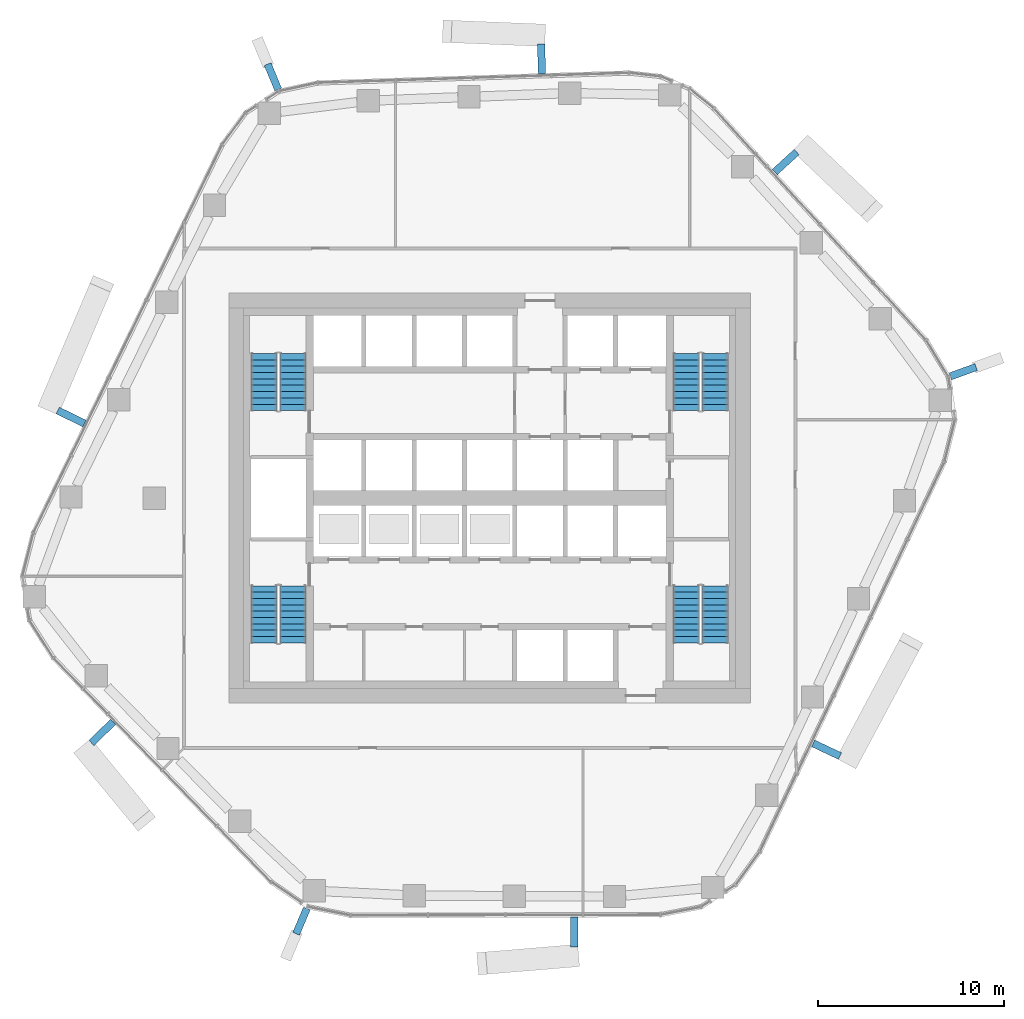
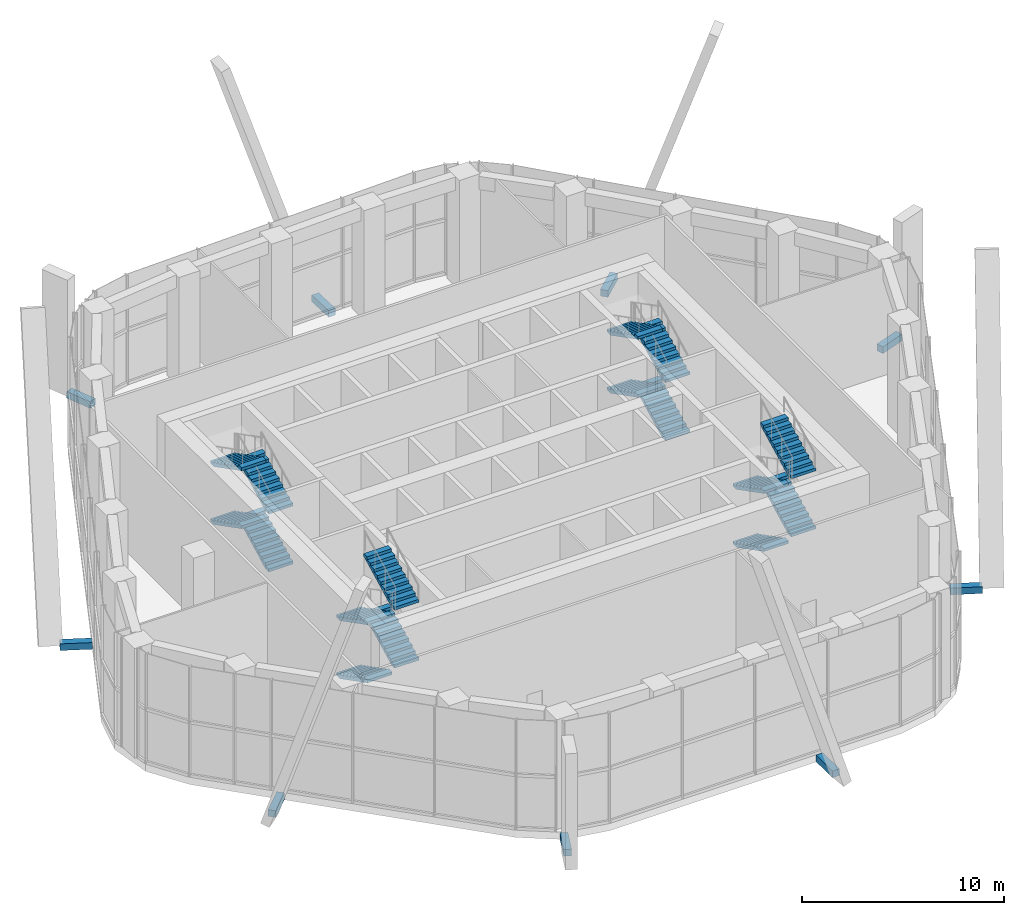
# One storey, part 14 of 20: 16 stair flights, 9 discrete accessories, 4 elements without a shape of their own.
"""IFC4 building model written with IfcOpenShell, lengths in metres."""

from ifc_helpers import new_model, si_unit, direction, frame, origin, origin_2d, place, context, subcontext, project, spatial, polyline, rectangle, outline, extrude, material, layer, layer_set, type_object, element, aggregate, save


model = new_model("IFC4")

# Units and contexts
model_context = context("Model", 3, precision=1e-05, world=origin(), true_north=direction((0.0, 1.0)))
body_context = subcontext(model_context, "Body", "Model", "MODEL_VIEW")
ifc_project = project(units=[si_unit("LENGTHUNIT", "METRE"), si_unit("AREAUNIT", "SQUARE_METRE"), si_unit("VOLUMEUNIT", "CUBIC_METRE"), si_unit("PLANEANGLEUNIT", "RADIAN"), si_unit("MASSUNIT", "GRAM", prefix="KILO")], contexts=[model_context])

# Site, building, storey
site_placement = place(None, origin())
site = spatial("IfcSite", under=ifc_project, at=site_placement, CompositionType="ELEMENT")
building_placement = place(site_placement, origin())
building = spatial("IfcBuilding", under=site, at=building_placement, Name="Dongbaek Canopy Tower", CompositionType="ELEMENT")
storey_placement = place(building_placement, frame((0.0, 0.0, 151.60009765625)))
storey = spatial("IfcBuildingStorey", under=building, at=storey_placement, Name="L33", CompositionType="ELEMENT", Elevation=151.60009765625)

# Stair, stair flights
ifc_material_1 = material(Name="Concrete C40/50", Category="concrete")
stair_type = type_object("IfcStairType", Name="Core exit stair", PredefinedType="HALF_TURN_STAIR", material=ifc_material_1)
stair_1_placement = place(storey_placement, origin())
stair_1 = element("IfcStair", 1, at=stair_1_placement, inside=storey, type_object=stair_type, Name="L33 exit stair A", PredefinedType="HALF_TURN_STAIR")
ifc_material_2 = material(Name="Concrete C40/50", Category="concrete")
ifc_layer = layer(ifc_material_2, 0.14990234375)
ifc_layer_set = layer_set([ifc_layer], Name="Core stair flight 150 waist")
stair_flight_type = type_object("IfcStairFlightType", Name="Core stair flight 150 waist", PredefinedType="STRAIGHT", material=ifc_layer_set)
stair_flight_1_placement = place(storey_placement, frame((12.10009765625, 4.699951171875, 0.0), z_axis=(0.0, 0.0, 1.0), x_axis=(0.0, 1.0, 0.0)))
stair_flight_1 = element("IfcStairFlight", 2, at=stair_flight_1_placement, type_object=stair_flight_type, Name="ST-A flight 1", NumberOfRisers=10, NumberOfTreads=9, PredefinedType="STRAIGHT", RiserHeight=0.175, TreadLength=0.34, context=body_context, shape_type="SweptSolid", body=[
    extrude(outline(polyline([(0.0, 0.0), (0.0, 0.175048828125), (0.340087890625, 0.175048828125), (0.340087890625, 0.35009765625), (0.679931640625, 0.35009765625), (0.679931640625, 0.52490234375), (1.02001953125, 0.52490234375), (1.02001953125, 0.699951171875), (1.360107421875, 0.699951171875), (1.360107421875, 0.875), (1.699951171875, 0.875), (1.699951171875, 1.050048828125), (2.0400390625, 1.050048828125), (2.0400390625, 1.22509765625), (2.3798828125, 1.22509765625), (2.3798828125, 1.39990234375), (2.719970703125, 1.39990234375), (2.719970703125, 1.574951171875), (3.06005859375, 1.574951171875), (3.06005859375, 1.75), (3.06005859375, 1.406494140625), (0.32763671875, 0.0), (0.0, 0.0)])), frame((0.0, 0.699951171875, 0.0), z_axis=(0.0, -1.0, 0.0), x_axis=(1.0, 0.0, 0.0)), (0.0, 0.0, 1.0), 1.39990234375),
])
stair_flight_2_placement = place(storey_placement, frame((10.550048828125, 7.760009765625, 1.75), z_axis=(0.0, 0.0, 1.0), x_axis=(0.0, -1.0, 0.0)))
stair_flight_2 = element("IfcStairFlight", 3, at=stair_flight_2_placement, type_object=stair_flight_type, Name="ST-A flight 2", NumberOfRisers=10, NumberOfTreads=9, PredefinedType="STRAIGHT", RiserHeight=0.175, TreadLength=0.34, context=body_context, shape_type="SweptSolid", body=[
    extrude(outline(polyline([(0.0, 0.0), (0.0, 0.175048828125), (0.340087890625, 0.175048828125), (0.340087890625, 0.35009765625), (0.679931640625, 0.35009765625), (0.679931640625, 0.52490234375), (1.02001953125, 0.52490234375), (1.02001953125, 0.699951171875), (1.360107421875, 0.699951171875), (1.360107421875, 0.875), (1.699951171875, 0.875), (1.699951171875, 1.050048828125), (2.0400390625, 1.050048828125), (2.0400390625, 1.22509765625), (2.3798828125, 1.22509765625), (2.3798828125, 1.39990234375), (2.719970703125, 1.39990234375), (2.719970703125, 1.574951171875), (3.06005859375, 1.574951171875), (3.06005859375, 1.75), (3.06005859375, 1.406494140625), (0.32763671875, 0.0), (0.0, 0.0)])), frame((0.0, 0.699951171875, 0.0), z_axis=(0.0, -1.0, 0.0), x_axis=(1.0, 0.0, 0.0)), (0.0, 0.0, 1.0), 1.39990234375),
])
stair_flight_3_placement = place(storey_placement, frame((12.10009765625, 4.699951171875, 3.5), z_axis=(0.0, 0.0, 1.0), x_axis=(0.0, 1.0, 0.0)))
stair_flight_3 = element("IfcStairFlight", 4, at=stair_flight_3_placement, type_object=stair_flight_type, Name="ST-A flight 3", NumberOfRisers=10, NumberOfTreads=9, PredefinedType="STRAIGHT", RiserHeight=0.175, TreadLength=0.34, context=body_context, shape_type="SweptSolid", body=[
    extrude(outline(polyline([(0.0, 0.0), (0.0, 0.175048828125), (0.340087890625, 0.175048828125), (0.340087890625, 0.35009765625), (0.679931640625, 0.35009765625), (0.679931640625, 0.52490234375), (1.02001953125, 0.52490234375), (1.02001953125, 0.699951171875), (1.360107421875, 0.699951171875), (1.360107421875, 0.875), (1.699951171875, 0.875), (1.699951171875, 1.050048828125), (2.0400390625, 1.050048828125), (2.0400390625, 1.22509765625), (2.3798828125, 1.22509765625), (2.3798828125, 1.39990234375), (2.719970703125, 1.39990234375), (2.719970703125, 1.574951171875), (3.06005859375, 1.574951171875), (3.06005859375, 1.75), (3.06005859375, 1.406494140625), (0.32763671875, 0.0), (0.0, 0.0)])), frame((0.0, 0.699951171875, 0.0), z_axis=(0.0, -1.0, 0.0), x_axis=(1.0, 0.0, 0.0)), (0.0, 0.0, 1.0), 1.39990234375),
])
stair_flight_4_placement = place(storey_placement, frame((10.550048828125, 7.760009765625, 5.25), z_axis=(0.0, 0.0, 1.0), x_axis=(0.0, -1.0, 0.0)))
stair_flight_4 = element("IfcStairFlight", 5, at=stair_flight_4_placement, type_object=stair_flight_type, Name="ST-A flight 4", NumberOfRisers=10, NumberOfTreads=9, PredefinedType="STRAIGHT", RiserHeight=0.175, TreadLength=0.34, context=body_context, shape_type="SweptSolid", body=[
    extrude(outline(polyline([(0.0, 0.0), (0.0, 0.175048828125), (0.340087890625, 0.175048828125), (0.340087890625, 0.35009765625), (0.679931640625, 0.35009765625), (0.679931640625, 0.52490234375), (1.02001953125, 0.52490234375), (1.02001953125, 0.699951171875), (1.360107421875, 0.699951171875), (1.360107421875, 0.875), (1.699951171875, 0.875), (1.699951171875, 1.050048828125), (2.0400390625, 1.050048828125), (2.0400390625, 1.22509765625), (2.3798828125, 1.22509765625), (2.3798828125, 1.39990234375), (2.719970703125, 1.39990234375), (2.719970703125, 1.574951171875), (3.06005859375, 1.574951171875), (3.06005859375, 1.75), (3.06005859375, 1.406494140625), (0.32763671875, 0.0), (0.0, 0.0)])), frame((0.0, 0.699951171875, 0.0), z_axis=(0.0, -1.0, 0.0), x_axis=(1.0, 0.0, 0.0)), (0.0, 0.0, 1.0), 1.39990234375),
])
aggregate(stair_1, [stair_flight_1, stair_flight_2, stair_flight_3, stair_flight_4])

stair_2_placement = place(storey_placement, origin())
stair_2 = element("IfcStair", 6, at=stair_2_placement, inside=storey, type_object=stair_type, Name="L33 exit stair C", PredefinedType="HALF_TURN_STAIR")
stair_flight_5_placement = place(storey_placement, frame((-10.550048828125, 4.699951171875, 0.0), z_axis=(0.0, 0.0, 1.0), x_axis=(0.0, 1.0, 0.0)))
stair_flight_5 = element("IfcStairFlight", 7, at=stair_flight_5_placement, type_object=stair_flight_type, Name="ST-C flight 1", NumberOfRisers=10, NumberOfTreads=9, PredefinedType="STRAIGHT", RiserHeight=0.175, TreadLength=0.34, context=body_context, shape_type="SweptSolid", body=[
    extrude(outline(polyline([(0.0, 0.0), (0.0, 0.175048828125), (0.340087890625, 0.175048828125), (0.340087890625, 0.35009765625), (0.679931640625, 0.35009765625), (0.679931640625, 0.52490234375), (1.02001953125, 0.52490234375), (1.02001953125, 0.699951171875), (1.360107421875, 0.699951171875), (1.360107421875, 0.875), (1.699951171875, 0.875), (1.699951171875, 1.050048828125), (2.0400390625, 1.050048828125), (2.0400390625, 1.22509765625), (2.3798828125, 1.22509765625), (2.3798828125, 1.39990234375), (2.719970703125, 1.39990234375), (2.719970703125, 1.574951171875), (3.06005859375, 1.574951171875), (3.06005859375, 1.75), (3.06005859375, 1.406494140625), (0.32763671875, 0.0), (0.0, 0.0)])), frame((0.0, 0.699951171875, 0.0), z_axis=(0.0, -1.0, 0.0), x_axis=(1.0, 0.0, 0.0)), (0.0, 0.0, 1.0), 1.39990234375),
])
stair_flight_6_placement = place(storey_placement, frame((-12.10009765625, 7.760009765625, 1.75), z_axis=(0.0, 0.0, 1.0), x_axis=(0.0, -1.0, 0.0)))
stair_flight_6 = element("IfcStairFlight", 8, at=stair_flight_6_placement, type_object=stair_flight_type, Name="ST-C flight 2", NumberOfRisers=10, NumberOfTreads=9, PredefinedType="STRAIGHT", RiserHeight=0.175, TreadLength=0.34, context=body_context, shape_type="SweptSolid", body=[
    extrude(outline(polyline([(0.0, 0.0), (0.0, 0.175048828125), (0.340087890625, 0.175048828125), (0.340087890625, 0.35009765625), (0.679931640625, 0.35009765625), (0.679931640625, 0.52490234375), (1.02001953125, 0.52490234375), (1.02001953125, 0.699951171875), (1.360107421875, 0.699951171875), (1.360107421875, 0.875), (1.699951171875, 0.875), (1.699951171875, 1.050048828125), (2.0400390625, 1.050048828125), (2.0400390625, 1.22509765625), (2.3798828125, 1.22509765625), (2.3798828125, 1.39990234375), (2.719970703125, 1.39990234375), (2.719970703125, 1.574951171875), (3.06005859375, 1.574951171875), (3.06005859375, 1.75), (3.06005859375, 1.406494140625), (0.32763671875, 0.0), (0.0, 0.0)])), frame((0.0, 0.699951171875, 0.0), z_axis=(0.0, -1.0, 0.0), x_axis=(1.0, 0.0, 0.0)), (0.0, 0.0, 1.0), 1.39990234375),
])
stair_flight_7_placement = place(storey_placement, frame((-10.550048828125, 4.699951171875, 3.5), z_axis=(0.0, 0.0, 1.0), x_axis=(0.0, 1.0, 0.0)))
stair_flight_7 = element("IfcStairFlight", 9, at=stair_flight_7_placement, type_object=stair_flight_type, Name="ST-C flight 3", NumberOfRisers=10, NumberOfTreads=9, PredefinedType="STRAIGHT", RiserHeight=0.175, TreadLength=0.34, context=body_context, shape_type="SweptSolid", body=[
    extrude(outline(polyline([(0.0, 0.0), (0.0, 0.175048828125), (0.340087890625, 0.175048828125), (0.340087890625, 0.35009765625), (0.679931640625, 0.35009765625), (0.679931640625, 0.52490234375), (1.02001953125, 0.52490234375), (1.02001953125, 0.699951171875), (1.360107421875, 0.699951171875), (1.360107421875, 0.875), (1.699951171875, 0.875), (1.699951171875, 1.050048828125), (2.0400390625, 1.050048828125), (2.0400390625, 1.22509765625), (2.3798828125, 1.22509765625), (2.3798828125, 1.39990234375), (2.719970703125, 1.39990234375), (2.719970703125, 1.574951171875), (3.06005859375, 1.574951171875), (3.06005859375, 1.75), (3.06005859375, 1.406494140625), (0.32763671875, 0.0), (0.0, 0.0)])), frame((0.0, 0.699951171875, 0.0), z_axis=(0.0, -1.0, 0.0), x_axis=(1.0, 0.0, 0.0)), (0.0, 0.0, 1.0), 1.39990234375),
])
stair_flight_8_placement = place(storey_placement, frame((-12.10009765625, 7.760009765625, 5.25), z_axis=(0.0, 0.0, 1.0), x_axis=(0.0, -1.0, 0.0)))
stair_flight_8 = element("IfcStairFlight", 10, at=stair_flight_8_placement, type_object=stair_flight_type, Name="ST-C flight 4", NumberOfRisers=10, NumberOfTreads=9, PredefinedType="STRAIGHT", RiserHeight=0.175, TreadLength=0.34, context=body_context, shape_type="SweptSolid", body=[
    extrude(outline(polyline([(0.0, 0.0), (0.0, 0.175048828125), (0.340087890625, 0.175048828125), (0.340087890625, 0.35009765625), (0.679931640625, 0.35009765625), (0.679931640625, 0.52490234375), (1.02001953125, 0.52490234375), (1.02001953125, 0.699951171875), (1.360107421875, 0.699951171875), (1.360107421875, 0.875), (1.699951171875, 0.875), (1.699951171875, 1.050048828125), (2.0400390625, 1.050048828125), (2.0400390625, 1.22509765625), (2.3798828125, 1.22509765625), (2.3798828125, 1.39990234375), (2.719970703125, 1.39990234375), (2.719970703125, 1.574951171875), (3.06005859375, 1.574951171875), (3.06005859375, 1.75), (3.06005859375, 1.406494140625), (0.32763671875, 0.0), (0.0, 0.0)])), frame((0.0, 0.699951171875, 0.0), z_axis=(0.0, -1.0, 0.0), x_axis=(1.0, 0.0, 0.0)), (0.0, 0.0, 1.0), 1.39990234375),
])
aggregate(stair_2, [stair_flight_5, stair_flight_6, stair_flight_7, stair_flight_8])

stair_3_placement = place(storey_placement, origin())
stair_3 = element("IfcStair", 11, at=stair_3_placement, inside=storey, type_object=stair_type, Name="L33 exit stair B", PredefinedType="HALF_TURN_STAIR")
stair_flight_9_placement = place(storey_placement, frame((10.550048828125, -4.699951171875, 0.0), z_axis=(0.0, 0.0, 1.0), x_axis=(0.0, -1.0, 0.0)))
stair_flight_9 = element("IfcStairFlight", 12, at=stair_flight_9_placement, type_object=stair_flight_type, Name="ST-B flight 1", NumberOfRisers=10, NumberOfTreads=9, PredefinedType="STRAIGHT", RiserHeight=0.175, TreadLength=0.34, context=body_context, shape_type="SweptSolid", body=[
    extrude(outline(polyline([(0.0, 0.0), (0.0, 0.175048828125), (0.340087890625, 0.175048828125), (0.340087890625, 0.35009765625), (0.679931640625, 0.35009765625), (0.679931640625, 0.52490234375), (1.02001953125, 0.52490234375), (1.02001953125, 0.699951171875), (1.360107421875, 0.699951171875), (1.360107421875, 0.875), (1.699951171875, 0.875), (1.699951171875, 1.050048828125), (2.0400390625, 1.050048828125), (2.0400390625, 1.22509765625), (2.3798828125, 1.22509765625), (2.3798828125, 1.39990234375), (2.719970703125, 1.39990234375), (2.719970703125, 1.574951171875), (3.06005859375, 1.574951171875), (3.06005859375, 1.75), (3.06005859375, 1.406494140625), (0.32763671875, 0.0), (0.0, 0.0)])), frame((0.0, 0.699951171875, 0.0), z_axis=(0.0, -1.0, 0.0), x_axis=(1.0, 0.0, 0.0)), (0.0, 0.0, 1.0), 1.39990234375),
])
stair_flight_10_placement = place(storey_placement, frame((12.10009765625, -7.760009765625, 1.75), z_axis=(0.0, 0.0, 1.0), x_axis=(0.0, 1.0, 0.0)))
stair_flight_10 = element("IfcStairFlight", 13, at=stair_flight_10_placement, type_object=stair_flight_type, Name="ST-B flight 2", NumberOfRisers=10, NumberOfTreads=9, PredefinedType="STRAIGHT", RiserHeight=0.175, TreadLength=0.34, context=body_context, shape_type="SweptSolid", body=[
    extrude(outline(polyline([(0.0, 0.0), (0.0, 0.175048828125), (0.340087890625, 0.175048828125), (0.340087890625, 0.35009765625), (0.679931640625, 0.35009765625), (0.679931640625, 0.52490234375), (1.02001953125, 0.52490234375), (1.02001953125, 0.699951171875), (1.360107421875, 0.699951171875), (1.360107421875, 0.875), (1.699951171875, 0.875), (1.699951171875, 1.050048828125), (2.0400390625, 1.050048828125), (2.0400390625, 1.22509765625), (2.3798828125, 1.22509765625), (2.3798828125, 1.39990234375), (2.719970703125, 1.39990234375), (2.719970703125, 1.574951171875), (3.06005859375, 1.574951171875), (3.06005859375, 1.75), (3.06005859375, 1.406494140625), (0.32763671875, 0.0), (0.0, 0.0)])), frame((0.0, 0.699951171875, 0.0), z_axis=(0.0, -1.0, 0.0), x_axis=(1.0, 0.0, 0.0)), (0.0, 0.0, 1.0), 1.39990234375),
])
stair_flight_11_placement = place(storey_placement, frame((10.550048828125, -4.699951171875, 3.5), z_axis=(0.0, 0.0, 1.0), x_axis=(0.0, -1.0, 0.0)))
stair_flight_11 = element("IfcStairFlight", 14, at=stair_flight_11_placement, type_object=stair_flight_type, Name="ST-B flight 3", NumberOfRisers=10, NumberOfTreads=9, PredefinedType="STRAIGHT", RiserHeight=0.175, TreadLength=0.34, context=body_context, shape_type="SweptSolid", body=[
    extrude(outline(polyline([(0.0, 0.0), (0.0, 0.175048828125), (0.340087890625, 0.175048828125), (0.340087890625, 0.35009765625), (0.679931640625, 0.35009765625), (0.679931640625, 0.52490234375), (1.02001953125, 0.52490234375), (1.02001953125, 0.699951171875), (1.360107421875, 0.699951171875), (1.360107421875, 0.875), (1.699951171875, 0.875), (1.699951171875, 1.050048828125), (2.0400390625, 1.050048828125), (2.0400390625, 1.22509765625), (2.3798828125, 1.22509765625), (2.3798828125, 1.39990234375), (2.719970703125, 1.39990234375), (2.719970703125, 1.574951171875), (3.06005859375, 1.574951171875), (3.06005859375, 1.75), (3.06005859375, 1.406494140625), (0.32763671875, 0.0), (0.0, 0.0)])), frame((0.0, 0.699951171875, 0.0), z_axis=(0.0, -1.0, 0.0), x_axis=(1.0, 0.0, 0.0)), (0.0, 0.0, 1.0), 1.39990234375),
])
stair_flight_12_placement = place(storey_placement, frame((12.10009765625, -7.760009765625, 5.25), z_axis=(0.0, 0.0, 1.0), x_axis=(0.0, 1.0, 0.0)))
stair_flight_12 = element("IfcStairFlight", 15, at=stair_flight_12_placement, type_object=stair_flight_type, Name="ST-B flight 4", NumberOfRisers=10, NumberOfTreads=9, PredefinedType="STRAIGHT", RiserHeight=0.175, TreadLength=0.34, context=body_context, shape_type="SweptSolid", body=[
    extrude(outline(polyline([(0.0, 0.0), (0.0, 0.175048828125), (0.340087890625, 0.175048828125), (0.340087890625, 0.35009765625), (0.679931640625, 0.35009765625), (0.679931640625, 0.52490234375), (1.02001953125, 0.52490234375), (1.02001953125, 0.699951171875), (1.360107421875, 0.699951171875), (1.360107421875, 0.875), (1.699951171875, 0.875), (1.699951171875, 1.050048828125), (2.0400390625, 1.050048828125), (2.0400390625, 1.22509765625), (2.3798828125, 1.22509765625), (2.3798828125, 1.39990234375), (2.719970703125, 1.39990234375), (2.719970703125, 1.574951171875), (3.06005859375, 1.574951171875), (3.06005859375, 1.75), (3.06005859375, 1.406494140625), (0.32763671875, 0.0), (0.0, 0.0)])), frame((0.0, 0.699951171875, 0.0), z_axis=(0.0, -1.0, 0.0), x_axis=(1.0, 0.0, 0.0)), (0.0, 0.0, 1.0), 1.39990234375),
])
aggregate(stair_3, [stair_flight_9, stair_flight_10, stair_flight_11, stair_flight_12])

stair_4_placement = place(storey_placement, origin())
stair_4 = element("IfcStair", 16, at=stair_4_placement, inside=storey, type_object=stair_type, Name="L33 exit stair D", PredefinedType="HALF_TURN_STAIR")
stair_flight_13_placement = place(storey_placement, frame((-12.10009765625, -4.699951171875, 0.0), z_axis=(0.0, 0.0, 1.0), x_axis=(0.0, -1.0, 0.0)))
stair_flight_13 = element("IfcStairFlight", 17, at=stair_flight_13_placement, type_object=stair_flight_type, Name="ST-D flight 1", NumberOfRisers=10, NumberOfTreads=9, PredefinedType="STRAIGHT", RiserHeight=0.175, TreadLength=0.34, context=body_context, shape_type="SweptSolid", body=[
    extrude(outline(polyline([(0.0, 0.0), (0.0, 0.175048828125), (0.340087890625, 0.175048828125), (0.340087890625, 0.35009765625), (0.679931640625, 0.35009765625), (0.679931640625, 0.52490234375), (1.02001953125, 0.52490234375), (1.02001953125, 0.699951171875), (1.360107421875, 0.699951171875), (1.360107421875, 0.875), (1.699951171875, 0.875), (1.699951171875, 1.050048828125), (2.0400390625, 1.050048828125), (2.0400390625, 1.22509765625), (2.3798828125, 1.22509765625), (2.3798828125, 1.39990234375), (2.719970703125, 1.39990234375), (2.719970703125, 1.574951171875), (3.06005859375, 1.574951171875), (3.06005859375, 1.75), (3.06005859375, 1.406494140625), (0.32763671875, 0.0), (0.0, 0.0)])), frame((0.0, 0.699951171875, 0.0), z_axis=(0.0, -1.0, 0.0), x_axis=(1.0, 0.0, 0.0)), (0.0, 0.0, 1.0), 1.39990234375),
])
stair_flight_14_placement = place(storey_placement, frame((-10.550048828125, -7.760009765625, 1.75), z_axis=(0.0, 0.0, 1.0), x_axis=(0.0, 1.0, 0.0)))
stair_flight_14 = element("IfcStairFlight", 18, at=stair_flight_14_placement, type_object=stair_flight_type, Name="ST-D flight 2", NumberOfRisers=10, NumberOfTreads=9, PredefinedType="STRAIGHT", RiserHeight=0.175, TreadLength=0.34, context=body_context, shape_type="SweptSolid", body=[
    extrude(outline(polyline([(0.0, 0.0), (0.0, 0.175048828125), (0.340087890625, 0.175048828125), (0.340087890625, 0.35009765625), (0.679931640625, 0.35009765625), (0.679931640625, 0.52490234375), (1.02001953125, 0.52490234375), (1.02001953125, 0.699951171875), (1.360107421875, 0.699951171875), (1.360107421875, 0.875), (1.699951171875, 0.875), (1.699951171875, 1.050048828125), (2.0400390625, 1.050048828125), (2.0400390625, 1.22509765625), (2.3798828125, 1.22509765625), (2.3798828125, 1.39990234375), (2.719970703125, 1.39990234375), (2.719970703125, 1.574951171875), (3.06005859375, 1.574951171875), (3.06005859375, 1.75), (3.06005859375, 1.406494140625), (0.32763671875, 0.0), (0.0, 0.0)])), frame((0.0, 0.699951171875, 0.0), z_axis=(0.0, -1.0, 0.0), x_axis=(1.0, 0.0, 0.0)), (0.0, 0.0, 1.0), 1.39990234375),
])
stair_flight_15_placement = place(storey_placement, frame((-12.10009765625, -4.699951171875, 3.5), z_axis=(0.0, 0.0, 1.0), x_axis=(0.0, -1.0, 0.0)))
stair_flight_15 = element("IfcStairFlight", 19, at=stair_flight_15_placement, type_object=stair_flight_type, Name="ST-D flight 3", NumberOfRisers=10, NumberOfTreads=9, PredefinedType="STRAIGHT", RiserHeight=0.175, TreadLength=0.34, context=body_context, shape_type="SweptSolid", body=[
    extrude(outline(polyline([(0.0, 0.0), (0.0, 0.175048828125), (0.340087890625, 0.175048828125), (0.340087890625, 0.35009765625), (0.679931640625, 0.35009765625), (0.679931640625, 0.52490234375), (1.02001953125, 0.52490234375), (1.02001953125, 0.699951171875), (1.360107421875, 0.699951171875), (1.360107421875, 0.875), (1.699951171875, 0.875), (1.699951171875, 1.050048828125), (2.0400390625, 1.050048828125), (2.0400390625, 1.22509765625), (2.3798828125, 1.22509765625), (2.3798828125, 1.39990234375), (2.719970703125, 1.39990234375), (2.719970703125, 1.574951171875), (3.06005859375, 1.574951171875), (3.06005859375, 1.75), (3.06005859375, 1.406494140625), (0.32763671875, 0.0), (0.0, 0.0)])), frame((0.0, 0.699951171875, 0.0), z_axis=(0.0, -1.0, 0.0), x_axis=(1.0, 0.0, 0.0)), (0.0, 0.0, 1.0), 1.39990234375),
])
stair_flight_16_placement = place(storey_placement, frame((-10.550048828125, -7.760009765625, 5.25), z_axis=(0.0, 0.0, 1.0), x_axis=(0.0, 1.0, 0.0)))
stair_flight_16 = element("IfcStairFlight", 20, at=stair_flight_16_placement, type_object=stair_flight_type, Name="ST-D flight 4", NumberOfRisers=10, NumberOfTreads=9, PredefinedType="STRAIGHT", RiserHeight=0.175, TreadLength=0.34, context=body_context, shape_type="SweptSolid", body=[
    extrude(outline(polyline([(0.0, 0.0), (0.0, 0.175048828125), (0.340087890625, 0.175048828125), (0.340087890625, 0.35009765625), (0.679931640625, 0.35009765625), (0.679931640625, 0.52490234375), (1.02001953125, 0.52490234375), (1.02001953125, 0.699951171875), (1.360107421875, 0.699951171875), (1.360107421875, 0.875), (1.699951171875, 0.875), (1.699951171875, 1.050048828125), (2.0400390625, 1.050048828125), (2.0400390625, 1.22509765625), (2.3798828125, 1.22509765625), (2.3798828125, 1.39990234375), (2.719970703125, 1.39990234375), (2.719970703125, 1.574951171875), (3.06005859375, 1.574951171875), (3.06005859375, 1.75), (3.06005859375, 1.406494140625), (0.32763671875, 0.0), (0.0, 0.0)])), frame((0.0, 0.699951171875, 0.0), z_axis=(0.0, -1.0, 0.0), x_axis=(1.0, 0.0, 0.0)), (0.0, 0.0, 1.0), 1.39990234375),
])
aggregate(stair_4, [stair_flight_13, stair_flight_14, stair_flight_15, stair_flight_16])

# Discrete accessories
ifc_material_3 = material(Name="Galvanised steel S355 bracket", Category="steel")
discrete_accessory_type = type_object("IfcDiscreteAccessoryType", Name="Crease fin bracket BR3 400", PredefinedType="BRACKET", material=ifc_material_3)
discrete_accessory_1_placement = place(storey_placement, frame((18.073974609375, -13.494140625, -0.425048828125), z_axis=(0.0, 0.0, 1.0), x_axis=(0.903780242351, -0.427996814866, 0.0)))
element("IfcDiscreteAccessory", 21, at=discrete_accessory_1_placement, inside=storey, type_object=discrete_accessory_type, Name="Crease fin bracket L33 F5", PredefinedType="BRACKET", context=body_context, shape_type="SweptSolid", body=[
    extrude(rectangle(XDim=1.587890625, YDim=0.39990234375, at=origin_2d()), origin(), (0.0, 0.0, 1.0), 0.39990234375),
])
discrete_accessory_2_placement = place(storey_placement, frame((15.881103515625, 18.034912109375, -0.425048828125), z_axis=(0.0, 0.0, 1.0), x_axis=(0.737125210696, 0.675756186621, 0.0)))
element("IfcDiscreteAccessory", 22, at=discrete_accessory_2_placement, inside=storey, type_object=discrete_accessory_type, Name="Crease fin bracket L33 F0", PredefinedType="BRACKET", context=body_context, shape_type="SweptSolid", body=[
    extrude(rectangle(XDim=1.590576171875, YDim=0.39990234375, at=origin_2d()), origin(), (0.0, 0.0, 1.0), 0.39990234375),
])
discrete_accessory_3_placement = place(storey_placement, frame((2.781494140625, 23.5673828125, -0.425048828125), z_axis=(0.0, 0.0, 1.0), x_axis=(-0.031867806404, 0.999492092472, 0.0)))
element("IfcDiscreteAccessory", 23, at=discrete_accessory_3_placement, inside=storey, type_object=discrete_accessory_type, Name="Crease fin bracket L33 F1", PredefinedType="BRACKET", context=body_context, shape_type="SweptSolid", body=[
    extrude(rectangle(XDim=1.5947265625, YDim=0.39990234375, at=origin_2d()), origin(), (0.0, 0.0, 1.0), 0.39990234375),
])
discrete_accessory_4_placement = place(storey_placement, frame((-22.45751953125, 4.355712890625, -0.425048828125), z_axis=(0.0, 0.0, 1.0), x_axis=(-0.899297653891, 0.437337089332, 0.0)))
element("IfcDiscreteAccessory", 24, at=discrete_accessory_4_placement, inside=storey, type_object=discrete_accessory_type, Name="Crease fin bracket L33 F2", PredefinedType="BRACKET", context=body_context, shape_type="SweptSolid", body=[
    extrude(rectangle(XDim=1.595458984375, YDim=0.39990234375, at=origin_2d()), origin(), (0.0, 0.0, 1.0), 0.39990234375),
])
discrete_accessory_5_placement = place(storey_placement, frame((-20.788818359375, -12.56787109375, -0.425048828125), z_axis=(0.0, 0.0, 1.0), x_axis=(-0.717056605844, -0.697014938159, 0.0)))
element("IfcDiscreteAccessory", 25, at=discrete_accessory_5_placement, inside=storey, type_object=discrete_accessory_type, Name="Crease fin bracket L33 F3", PredefinedType="BRACKET", context=body_context, shape_type="SweptSolid", body=[
    extrude(rectangle(XDim=1.6162109375, YDim=0.39990234375, at=origin_2d()), origin(), (0.0, 0.0, 1.0), 0.39990234375),
])
discrete_accessory_6_placement = place(storey_placement, frame((4.5302734375, -23.266845703125, -0.425048828125), z_axis=(0.0, 0.0, 1.0), x_axis=(0.002164206583, -0.999997658102, 0.0)))
element("IfcDiscreteAccessory", 26, at=discrete_accessory_6_placement, inside=storey, type_object=discrete_accessory_type, Name="Crease fin bracket L33 F4", PredefinedType="BRACKET", context=body_context, shape_type="SweptSolid", body=[
    extrude(rectangle(XDim=1.611083984375, YDim=0.39990234375, at=origin_2d()), origin(), (0.0, 0.0, 1.0), 0.39990234375),
])
for number, where, z_axis, x_axis, name in (
    (27, (25.408447265625, 6.78662109375, -0.425048828125), (0.0, 0.0, 1.0), (0.940317233217, 0.340299134462, 0.0), "Corner fin bracket L33 K0"),
    (28, (-11.6318359375, 22.608642578125, -0.425048828125), (0.0, 0.0, 1.0), (-0.383857004195, 0.923392549423, 0.0), "Corner fin bracket L33 K2"),
    (29, (-10.09912109375, -22.694091796875, -0.425048828125), (0.0, 0.0, 1.0), (-0.388223412195, -0.921565289181, 0.0), "Corner fin bracket L33 K4"),
):
    element("IfcDiscreteAccessory", number, at=place(storey_placement, frame(where, z_axis=z_axis, x_axis=x_axis)), inside=storey, type_object=discrete_accessory_type, Name=name, PredefinedType="BRACKET", context=body_context, shape_type="SweptSolid", body=[
        extrude(rectangle(XDim=1.469970703125, YDim=0.39990234375, at=origin_2d()), origin(), (0.0, 0.0, 1.0), 0.39990234375),
    ])

save(model, "model.ifc")
